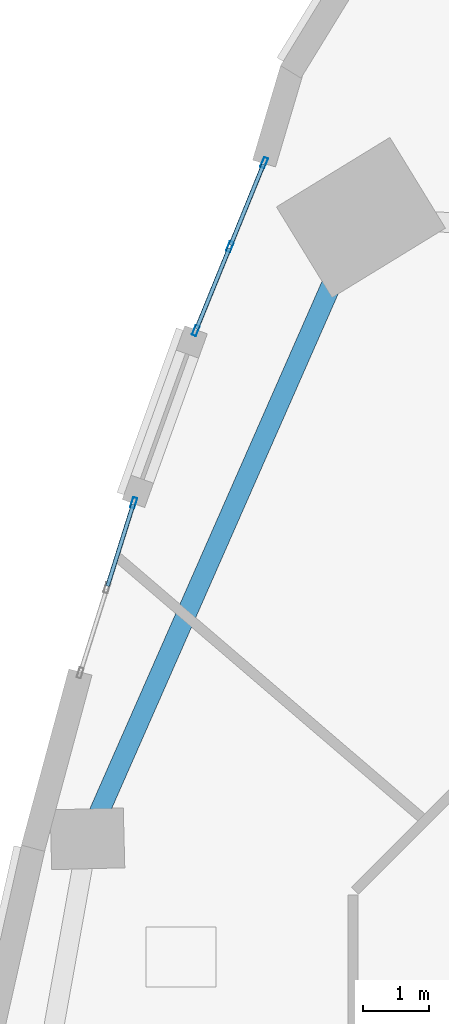
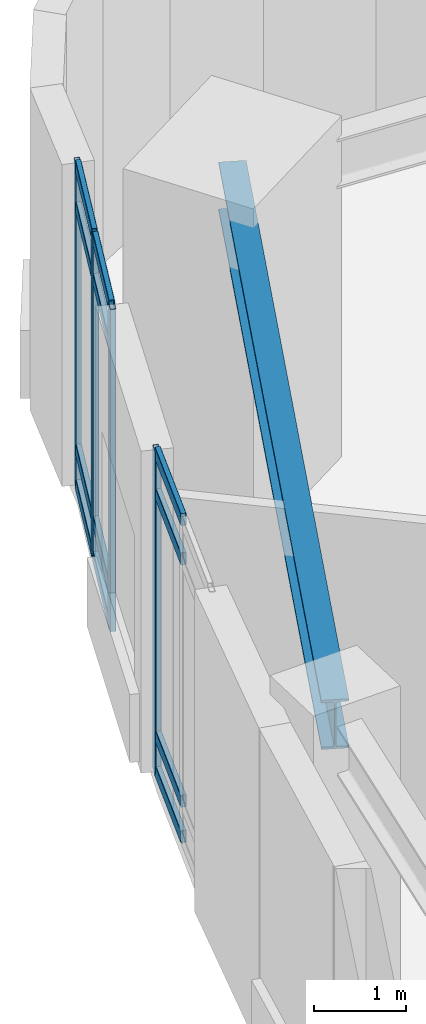
# One storey, part 7 of 16: 16 members, 1 beam, 2 elements without a shape of their own.
"""IFC4 building model written with IfcOpenShell, lengths in metres."""

from ifc_helpers import new_model, si_unit, direction, frame, origin, origin_2d, place, context, subcontext, project, spatial, hollow_rectangle, i_section, extrude, material, layer, layer_set, material_profile, profile_set, type_object, element, aggregate, save


model = new_model("IFC4")

# Units and contexts
model_context = context("Model", 3, precision=1e-05, world=origin(), true_north=direction((0.0, 1.0)))
body_context = subcontext(model_context, "Body", "Model", "MODEL_VIEW")
ifc_project = project(units=[si_unit("LENGTHUNIT", "METRE"), si_unit("AREAUNIT", "SQUARE_METRE"), si_unit("VOLUMEUNIT", "CUBIC_METRE"), si_unit("PLANEANGLEUNIT", "RADIAN"), si_unit("MASSUNIT", "GRAM", prefix="KILO")], contexts=[model_context])

# Site, building, storey
site_placement = place(None, origin())
site = spatial("IfcSite", under=ifc_project, at=site_placement, CompositionType="ELEMENT")
building_placement = place(site_placement, origin())
building = spatial("IfcBuilding", under=site, at=building_placement, Name="Ndelora Gate Hotel", CompositionType="ELEMENT")
storey_placement = place(building_placement, frame((0.0, 0.0, 92.75)))
storey = spatial("IfcBuildingStorey", under=building, at=storey_placement, Name="L22", CompositionType="ELEMENT", Elevation=92.75)

# Beam
ifc_material_1 = material(Name="Steel S355", Category="steel")
ifc_material_profile_1 = material_profile(ifc_material_1, i_section(OverallWidth=0.300048828125, OverallDepth=0.64990234375, WebThickness=0.01611328125, FlangeThickness=0.031005859375, FilletRadius=0.027099609375, at=origin_2d()), Name="HEB 650")
ifc_profile_set_1 = profile_set([ifc_material_profile_1], Name="Steel S355")
beam_type = type_object("IfcBeamType", Name="BM-RING-650", PredefinedType="SPANDREL", material=ifc_profile_set_1)
beam_placement = place(storey_placement, frame((-10.63330078125, 17.351806640625, 3.925048828125), z_axis=(-0.402852396707, -0.915264959707, 0.0), x_axis=(0.915264959707, -0.402852396707, 0.0)))
element("IfcBeam", 1, at=beam_placement, inside=storey, type_object=beam_type, Name="L22 Perimeter Spandrel Girder 1", PredefinedType="SPANDREL", context=body_context, shape_type="SweptSolid", body=[
    extrude(i_section(OverallWidth=0.300048828125, OverallDepth=0.64990234375, WebThickness=0.01611328125, FlangeThickness=0.031005859375, FilletRadius=0.027099609375, at=origin_2d()), origin(), (0.0, 0.0, 1.0), 10.21044921875),
])

# Curtain wall, members
ifc_material_2 = material(Name="Bronze Anodised Unitised Aluminium and Low-E Glass", Category="aluminium")
ifc_layer = layer(ifc_material_2, 0.2099609375)
ifc_layer_set = layer_set([ifc_layer], Name="Bronze Anodised Unitised Aluminium and Low-E Glass")
curtain_wall_type = type_object("IfcCurtainWallType", Name="CW-SYS-4", PredefinedType="NOTDEFINED", material=ifc_layer_set)
curtain_wall_1_placement = place(storey_placement, origin())
curtain_wall_1 = element("IfcCurtainWall", 2, at=curtain_wall_1_placement, inside=storey, type_object=curtain_wall_type, Name="L22 Lower Sky-Lobby & Highland Spa Curtain Wall 1", PredefinedType="NOTDEFINED")
ifc_material_3 = material(Name="Bronze Anodised Aluminium 6063-T6", Category="aluminium")
ifc_material_profile_2 = material_profile(ifc_material_3, hollow_rectangle(XDim=0.06494140625, YDim=0.159912109375, WallThickness=0.00390625, InnerFilletRadius=0.00390625, OuterFilletRadius=0.008056640625, at=origin_2d()), Name="ALU 160x65x4")
ifc_profile_set_2 = profile_set([ifc_material_profile_2], Name="Bronze Anodised Aluminium 6063-T6")
member_type_1 = type_object("IfcMemberType", Name="MB-CW-MUL150", PredefinedType="MULLION", material=ifc_profile_set_2)
member_1_placement = place(storey_placement, frame((-12.08837890625, 18.176513671875, -0.00390625), z_axis=(0.0, 0.0, 1.0), x_axis=(0.926135936455, -0.377189908674, 0.0)))
member_1 = element("IfcMember", 3, at=member_1_placement, type_object=member_type_1, Name="CW4 mullion 1", PredefinedType="MULLION", context=body_context, shape_type="SweptSolid", body=[
    extrude(hollow_rectangle(XDim=0.06494140625, YDim=0.159912109375, WallThickness=0.00390625, InnerFilletRadius=0.00390625, OuterFilletRadius=0.008056640625, at=origin_2d()), origin(), (0.0, 0.0, 1.0), 4.2578125),
])
member_2_placement = place(storey_placement, frame((-12.6025390625, 16.9140625, -0.00390625), z_axis=(0.0, 0.0, 1.0), x_axis=(0.926135936455, -0.377189908674, 0.0)))
member_2 = element("IfcMember", 4, at=member_2_placement, type_object=member_type_1, Name="CW4 mullion 2", PredefinedType="MULLION", context=body_context, shape_type="SweptSolid", body=[
    extrude(hollow_rectangle(XDim=0.06494140625, YDim=0.159912109375, WallThickness=0.00390625, InnerFilletRadius=0.00390625, OuterFilletRadius=0.008056640625, at=origin_2d()), origin(), (0.0, 0.0, 1.0), 4.2578125),
])
member_3_placement = place(storey_placement, frame((-13.11669921875, 15.651611328125, -0.00390625), z_axis=(0.0, 0.0, 1.0), x_axis=(0.926135936455, -0.377189908674, 0.0)))
member_3 = element("IfcMember", 5, at=member_3_placement, type_object=member_type_1, Name="CW4 mullion 3", PredefinedType="MULLION", context=body_context, shape_type="SweptSolid", body=[
    extrude(hollow_rectangle(XDim=0.06494140625, YDim=0.159912109375, WallThickness=0.00390625, InnerFilletRadius=0.00390625, OuterFilletRadius=0.008056640625, at=origin_2d()), origin(), (0.0, 0.0, 1.0), 4.2578125),
])

# Curtain wall, member
curtain_wall_2_placement = place(storey_placement, origin())
curtain_wall_2 = element("IfcCurtainWall", 6, at=curtain_wall_2_placement, inside=storey, type_object=curtain_wall_type, Name="L22 Lower Sky-Lobby & Highland Spa Curtain Wall 2", PredefinedType="NOTDEFINED")
member_4_placement = place(storey_placement, frame((-14.050537109375, 13.062255859375, -0.00390625), z_axis=(0.0, 0.0, 1.0), x_axis=(0.95390982932, -0.300093381343, 0.0)))
member_4 = element("IfcMember", 7, at=member_4_placement, type_object=member_type_1, Name="CW4 mullion 1", PredefinedType="MULLION", context=body_context, shape_type="SweptSolid", body=[
    extrude(hollow_rectangle(XDim=0.06494140625, YDim=0.159912109375, WallThickness=0.00390625, InnerFilletRadius=0.00390625, OuterFilletRadius=0.008056640625, at=origin_2d()), origin(), (0.0, 0.0, 1.0), 4.2578125),
])

# Member
ifc_material_profile_3 = material_profile(ifc_material_3, hollow_rectangle(XDim=0.06494140625, YDim=0.159912109375, WallThickness=0.00390625, InnerFilletRadius=0.00390625, OuterFilletRadius=0.008056640625, at=origin_2d()), Name="ALU 160x65x4")
ifc_profile_set_3 = profile_set([ifc_material_profile_3], Name="Bronze Anodised Aluminium 6063-T6")
member_type_2 = type_object("IfcMemberType", Name="MB-CW-TRN150", PredefinedType="USERDEFINED", material=ifc_profile_set_3)
member_5_placement = place(storey_placement, frame((-12.098388671875, 18.15185546875, 0.032470703125), z_axis=(-0.377166659801, -0.926145404747, 0.0), x_axis=(0.926145404747, -0.377166659801, 0.0)))
member_5 = element("IfcMember", 8, at=member_5_placement, type_object=member_type_2, Name="CW4 transom 1.1", ObjectType="TRANSOM", PredefinedType="USERDEFINED", context=body_context, shape_type="SweptSolid", body=[
    extrude(hollow_rectangle(XDim=0.06494140625, YDim=0.159912109375, WallThickness=0.00390625, InnerFilletRadius=0.00390625, OuterFilletRadius=0.008056640625, at=origin_2d()), origin(), (0.0, 0.0, 1.0), 1.31005859375),
])

member_6_placement = place(storey_placement, frame((-12.098388671875, 18.15185546875, 0.5), z_axis=(-0.377166659801, -0.926145404747, 0.0), x_axis=(0.926145404747, -0.377166659801, 0.0)))
member_6 = element("IfcMember", 9, at=member_6_placement, type_object=member_type_2, Name="CW4 transom 1.2", ObjectType="TRANSOM", PredefinedType="USERDEFINED", context=body_context, shape_type="SweptSolid", body=[
    extrude(hollow_rectangle(XDim=0.06494140625, YDim=0.159912109375, WallThickness=0.00390625, InnerFilletRadius=0.00390625, OuterFilletRadius=0.008056640625, at=origin_2d()), origin(), (0.0, 0.0, 1.0), 1.31005859375),
])

member_7_placement = place(storey_placement, frame((-12.098388671875, 18.15185546875, 3.699951171875), z_axis=(-0.377166659801, -0.926145404747, 0.0), x_axis=(0.926145404747, -0.377166659801, 0.0)))
member_7 = element("IfcMember", 10, at=member_7_placement, type_object=member_type_2, Name="CW4 transom 1.3", ObjectType="TRANSOM", PredefinedType="USERDEFINED", context=body_context, shape_type="SweptSolid", body=[
    extrude(hollow_rectangle(XDim=0.06494140625, YDim=0.159912109375, WallThickness=0.00390625, InnerFilletRadius=0.00390625, OuterFilletRadius=0.008056640625, at=origin_2d()), origin(), (0.0, 0.0, 1.0), 1.31005859375),
])

member_8_placement = place(storey_placement, frame((-12.098388671875, 18.15185546875, 4.217529296875), z_axis=(-0.377166659801, -0.926145404747, 0.0), x_axis=(0.926145404747, -0.377166659801, 0.0)))
member_8 = element("IfcMember", 11, at=member_8_placement, type_object=member_type_2, Name="CW4 transom 1.4", ObjectType="TRANSOM", PredefinedType="USERDEFINED", context=body_context, shape_type="SweptSolid", body=[
    extrude(hollow_rectangle(XDim=0.06494140625, YDim=0.159912109375, WallThickness=0.00390625, InnerFilletRadius=0.00390625, OuterFilletRadius=0.008056640625, at=origin_2d()), origin(), (0.0, 0.0, 1.0), 1.31005859375),
])

member_9_placement = place(storey_placement, frame((-12.612548828125, 16.889404296875, 0.032470703125), z_axis=(-0.377166659801, -0.926145404747, 0.0), x_axis=(0.926145404747, -0.377166659801, 0.0)))
member_9 = element("IfcMember", 12, at=member_9_placement, type_object=member_type_2, Name="CW4 transom 2.1", ObjectType="TRANSOM", PredefinedType="USERDEFINED", context=body_context, shape_type="SweptSolid", body=[
    extrude(hollow_rectangle(XDim=0.06494140625, YDim=0.159912109375, WallThickness=0.00390625, InnerFilletRadius=0.00390625, OuterFilletRadius=0.008056640625, at=origin_2d()), origin(), (0.0, 0.0, 1.0), 1.31005859375),
])

member_10_placement = place(storey_placement, frame((-12.612548828125, 16.889404296875, 0.5), z_axis=(-0.377166659801, -0.926145404747, 0.0), x_axis=(0.926145404747, -0.377166659801, 0.0)))
member_10 = element("IfcMember", 13, at=member_10_placement, type_object=member_type_2, Name="CW4 transom 2.2", ObjectType="TRANSOM", PredefinedType="USERDEFINED", context=body_context, shape_type="SweptSolid", body=[
    extrude(hollow_rectangle(XDim=0.06494140625, YDim=0.159912109375, WallThickness=0.00390625, InnerFilletRadius=0.00390625, OuterFilletRadius=0.008056640625, at=origin_2d()), origin(), (0.0, 0.0, 1.0), 1.31005859375),
])

member_11_placement = place(storey_placement, frame((-12.612548828125, 16.889404296875, 3.699951171875), z_axis=(-0.377166659801, -0.926145404747, 0.0), x_axis=(0.926145404747, -0.377166659801, 0.0)))
member_11 = element("IfcMember", 14, at=member_11_placement, type_object=member_type_2, Name="CW4 transom 2.3", ObjectType="TRANSOM", PredefinedType="USERDEFINED", context=body_context, shape_type="SweptSolid", body=[
    extrude(hollow_rectangle(XDim=0.06494140625, YDim=0.159912109375, WallThickness=0.00390625, InnerFilletRadius=0.00390625, OuterFilletRadius=0.008056640625, at=origin_2d()), origin(), (0.0, 0.0, 1.0), 1.31005859375),
])

member_12_placement = place(storey_placement, frame((-12.612548828125, 16.889404296875, 4.217529296875), z_axis=(-0.377166659801, -0.926145404747, 0.0), x_axis=(0.926145404747, -0.377166659801, 0.0)))
member_12 = element("IfcMember", 15, at=member_12_placement, type_object=member_type_2, Name="CW4 transom 2.4", ObjectType="TRANSOM", PredefinedType="USERDEFINED", context=body_context, shape_type="SweptSolid", body=[
    extrude(hollow_rectangle(XDim=0.06494140625, YDim=0.159912109375, WallThickness=0.00390625, InnerFilletRadius=0.00390625, OuterFilletRadius=0.008056640625, at=origin_2d()), origin(), (0.0, 0.0, 1.0), 1.31005859375),
])

aggregate(curtain_wall_1, [member_1, member_2, member_3, member_5, member_6, member_7, member_8, member_9, member_10, member_11, member_12])

member_13_placement = place(storey_placement, frame((-14.058349609375, 13.037109375, 0.032470703125), z_axis=(-0.300043311719, -0.953925579431, 0.0), x_axis=(0.953925579431, -0.300043311719, 0.0)))
member_13 = element("IfcMember", 16, at=member_13_placement, type_object=member_type_2, Name="CW4 transom 1.1", ObjectType="TRANSOM", PredefinedType="USERDEFINED", context=body_context, shape_type="SweptSolid", body=[
    extrude(hollow_rectangle(XDim=0.06494140625, YDim=0.159912109375, WallThickness=0.00390625, InnerFilletRadius=0.00390625, OuterFilletRadius=0.008056640625, at=origin_2d()), origin(), (0.0, 0.0, 1.0), 1.288818359375),
])

member_14_placement = place(storey_placement, frame((-14.058349609375, 13.037109375, 0.5), z_axis=(-0.300043311719, -0.953925579431, 0.0), x_axis=(0.953925579431, -0.300043311719, 0.0)))
member_14 = element("IfcMember", 17, at=member_14_placement, type_object=member_type_2, Name="CW4 transom 1.2", ObjectType="TRANSOM", PredefinedType="USERDEFINED", context=body_context, shape_type="SweptSolid", body=[
    extrude(hollow_rectangle(XDim=0.06494140625, YDim=0.159912109375, WallThickness=0.00390625, InnerFilletRadius=0.00390625, OuterFilletRadius=0.008056640625, at=origin_2d()), origin(), (0.0, 0.0, 1.0), 1.288818359375),
])

member_15_placement = place(storey_placement, frame((-14.058349609375, 13.037109375, 3.699951171875), z_axis=(-0.300043311719, -0.953925579431, 0.0), x_axis=(0.953925579431, -0.300043311719, 0.0)))
member_15 = element("IfcMember", 18, at=member_15_placement, type_object=member_type_2, Name="CW4 transom 1.3", ObjectType="TRANSOM", PredefinedType="USERDEFINED", context=body_context, shape_type="SweptSolid", body=[
    extrude(hollow_rectangle(XDim=0.06494140625, YDim=0.159912109375, WallThickness=0.00390625, InnerFilletRadius=0.00390625, OuterFilletRadius=0.008056640625, at=origin_2d()), origin(), (0.0, 0.0, 1.0), 1.288818359375),
])

member_16_placement = place(storey_placement, frame((-14.058349609375, 13.037109375, 4.217529296875), z_axis=(-0.300043311719, -0.953925579431, 0.0), x_axis=(0.953925579431, -0.300043311719, 0.0)))
member_16 = element("IfcMember", 19, at=member_16_placement, type_object=member_type_2, Name="CW4 transom 1.4", ObjectType="TRANSOM", PredefinedType="USERDEFINED", context=body_context, shape_type="SweptSolid", body=[
    extrude(hollow_rectangle(XDim=0.06494140625, YDim=0.159912109375, WallThickness=0.00390625, InnerFilletRadius=0.00390625, OuterFilletRadius=0.008056640625, at=origin_2d()), origin(), (0.0, 0.0, 1.0), 1.288818359375),
])

aggregate(curtain_wall_2, [member_4, member_13, member_14, member_15, member_16])

save(model, "model.ifc")
